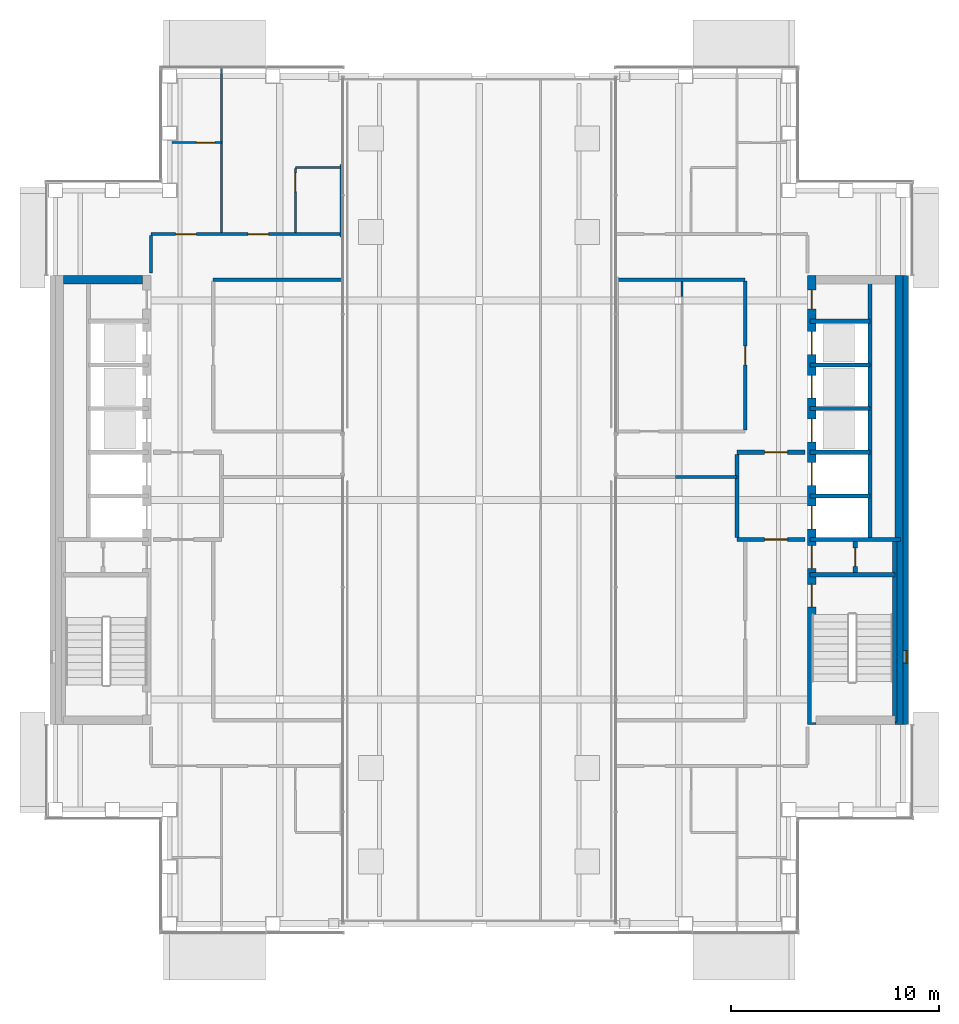
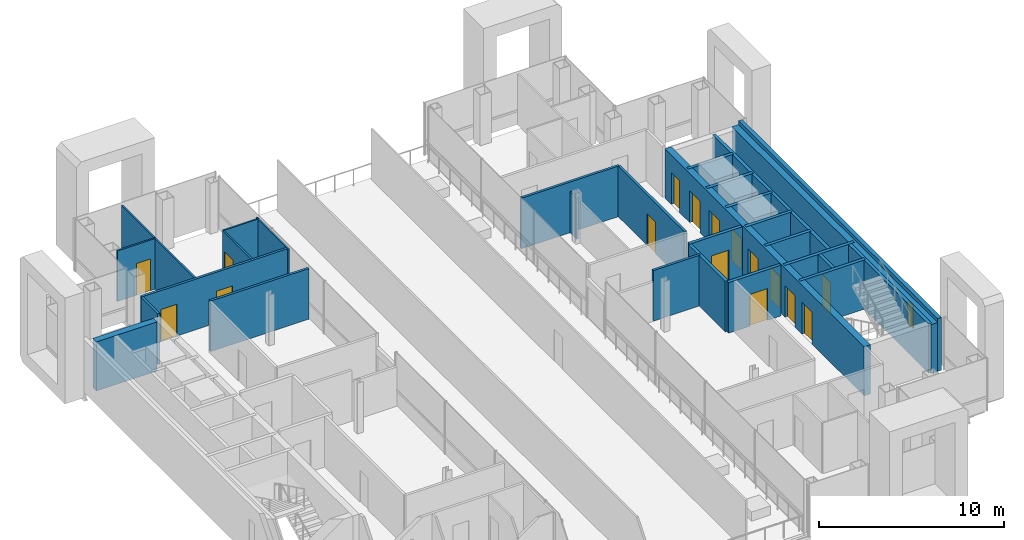
# One storey, part 12 of 17: 29 walls, 16 doors, 1 window, 17 openings.
"""IFC4 building model written with IfcOpenShell, lengths in metres."""

from ifc_helpers import new_model, si_unit, direction, frame, frame_2d, origin, place, context, subcontext, project, spatial, rectangle, extrude, material, layer, layer_set, type_object, element, fill, save


model = new_model("IFC4")

# Units and contexts
model_context = context("Model", 3, precision=1e-05, world=origin(), true_north=direction((0.0, 1.0)))
body_context = subcontext(model_context, "Body", "Model", "MODEL_VIEW")
ifc_project = project(units=[si_unit("LENGTHUNIT", "METRE"), si_unit("AREAUNIT", "SQUARE_METRE"), si_unit("VOLUMEUNIT", "CUBIC_METRE"), si_unit("PLANEANGLEUNIT", "RADIAN"), si_unit("MASSUNIT", "GRAM", prefix="KILO")], contexts=[model_context])

# Site, building, storey
site_placement = place(None, origin())
site = spatial("IfcSite", under=ifc_project, at=site_placement, CompositionType="ELEMENT")
building_placement = place(site_placement, origin())
building = spatial("IfcBuilding", under=site, at=building_placement, Name="Cobrizo Arcos Hotel Tower", CompositionType="ELEMENT")
storey_placement = place(building_placement, frame((0.0, 0.0, 219.0)))
storey = spatial("IfcBuildingStorey", under=building, at=storey_placement, Name="L57", CompositionType="ELEMENT", Elevation=219.0)

# Walls
ifc_material_1 = material(Name="Gypsum board partition")
ifc_layer_1 = layer(ifc_material_1, 0.14990234375)
ifc_layer_set_1 = layer_set([ifc_layer_1], Name="Corridor wall EI 60 150")
wall_type_1 = type_object("IfcWallType", Name="Corridor wall EI 60 150", PredefinedType="PARTITIONING", material=ifc_layer_set_1)
wall_1_placement = place(storey_placement, frame((9.43603515625, 1.10009765625, 0.0), z_axis=(0.0, 0.0, 1.0), x_axis=(1.0, 0.0, 0.0)))
element("IfcWall", 1, at=wall_1_placement, inside=storey, type_object=wall_type_1, Name="Partition 020", PredefinedType="PARTITIONING", context=body_context, shape_type="SweptSolid", body=[
    extrude(rectangle(XDim=2.9638671875, YDim=0.14990234375, at=frame_2d((1.48193359375, 0.0))), origin(), (0.0, 0.0, 1.0), 3.35009765625),
])
wall_2_placement = place(storey_placement, frame((-12.800048828125, 10.60009765625, 0.0), z_axis=(0.0, 0.0, 1.0), x_axis=(1.0, 0.0, 0.0)))
element("IfcWall", 2, at=wall_2_placement, inside=storey, type_object=wall_type_1, Name="Partition 033", PredefinedType="PARTITIONING", context=body_context, shape_type="SweptSolid", body=[
    extrude(rectangle(XDim=6.179931640625, YDim=0.14990234375, at=frame_2d((3.08984375, 0.0))), origin(), (0.0, 0.0, 1.0), 3.35009765625),
])
wall_3_placement = place(storey_placement, frame((6.64990234375, 10.60009765625, 0.0), z_axis=(0.0, 0.0, 1.0), x_axis=(1.0, 0.0, 0.0)))
element("IfcWall", 3, at=wall_3_placement, inside=storey, type_object=wall_type_1, Name="Partition 034", PredefinedType="PARTITIONING", context=body_context, shape_type="SweptSolid", body=[
    extrude(rectangle(XDim=6.150146484375, YDim=0.14990234375, at=frame_2d((3.0751953125, 0.0))), origin(), (0.0, 0.0, 1.0), 3.35009765625),
])

# Wall, openings, doors
wall_4_placement = place(storey_placement, frame((-15.800048828125, 12.800048828125, 0.0), z_axis=(0.0, 0.0, 1.0), x_axis=(1.0, 0.0, 0.0)))
wall_4 = element("IfcWall", 4, at=wall_4_placement, inside=storey, type_object=wall_type_1, Name="Partition 035", PredefinedType="PARTITIONING", context=body_context, shape_type="SweptSolid", body=[
    extrude(rectangle(XDim=9.150146484375, YDim=0.14990234375, at=frame_2d((4.5751953125, 0.0))), origin(), (0.0, 0.0, 1.0), 3.35009765625),
])
opening_1_placement = place(wall_4_placement, frame((4.6669921875, 0.0, 0.0)))
opening_1 = element("IfcOpeningElement", 5, at=opening_1_placement, cuts=wall_4, Name="Opening GD-02", PredefinedType="OPENING", context=body_context, shape_type="SweptSolid", body=[
    extrude(rectangle(XDim=1.0, YDim=2.10009765625, at=frame_2d((0.5, 1.050048828125))), frame((0.0, 0.0869140625, 0.0), z_axis=(0.0, -1.0, 0.0), x_axis=(1.0, 0.0, 0.0)), (0.0, 0.0, 1.0), 0.173828125),
])
opening_2_placement = place(wall_4_placement, frame((1.19189453125, 0.0, 0.0)))
opening_2 = element("IfcOpeningElement", 6, at=opening_2_placement, cuts=wall_4, Name="Opening GD-06", PredefinedType="OPENING", context=body_context, shape_type="SweptSolid", body=[
    extrude(rectangle(XDim=1.0, YDim=2.10009765625, at=frame_2d((0.5, 1.050048828125))), frame((0.0, 0.0869140625, 0.0), z_axis=(0.0, -1.0, 0.0), x_axis=(1.0, 0.0, 0.0)), (0.0, 0.0, 1.0), 0.173828125),
])
ifc_material_2 = material(Name="Timber door leaf", Category="wood")
door_type_1 = type_object("IfcDoorType", Name="Guest room door FD30S 1000x2100", OperationType="SINGLE_SWING_LEFT", PredefinedType="DOOR", material=ifc_material_2)
door_1_placement = place(opening_1_placement, origin())
door_1 = element("IfcDoor", 7, at=door_1_placement, inside=storey, type_object=door_type_1, Name="Door GD-02", OperationType="SINGLE_SWING_LEFT", OverallHeight=2.10009765625, OverallWidth=1.0, PredefinedType="DOOR", context=body_context, shape_type="SweptSolid", body=[
    extrude(rectangle(XDim=1.0, YDim=2.10009765625, at=frame_2d((0.5, 1.050048828125))), frame((0.0, 0.02490234375, 0.0), z_axis=(0.0, -1.0, 0.0), x_axis=(1.0, 0.0, 0.0)), (0.0, 0.0, 1.0), 0.050048828125),
])
fill(opening_1, door_1)
door_2_placement = place(opening_2_placement, origin())
door_2 = element("IfcDoor", 8, at=door_2_placement, inside=storey, type_object=door_type_1, Name="Door GD-06", OperationType="SINGLE_SWING_LEFT", OverallHeight=2.10009765625, OverallWidth=1.0, PredefinedType="DOOR", context=body_context, shape_type="SweptSolid", body=[
    extrude(rectangle(XDim=1.0, YDim=2.10009765625, at=frame_2d((0.5, 1.050048828125))), frame((0.0, 0.02490234375, 0.0), z_axis=(0.0, -1.0, 0.0), x_axis=(1.0, 0.0, 0.0)), (0.0, 0.0, 1.0), 0.050048828125),
])
fill(opening_2, door_2)

# Wall
wall_5_placement = place(storey_placement, frame((-15.800048828125, 10.919921875, 0.0), z_axis=(0.0, 0.0, 1.0), x_axis=(0.0, 1.0, 0.0)))
element("IfcWall", 9, at=wall_5_placement, inside=storey, type_object=wall_type_1, Name="Partition 045", PredefinedType="PARTITIONING", context=body_context, shape_type="SweptSolid", body=[
    extrude(rectangle(XDim=1.80517578125, YDim=0.14990234375, at=frame_2d((0.902587890625, 0.0))), origin(), (0.0, 0.0, 1.0), 3.35009765625),
])

# Wall, opening, door
wall_6_placement = place(storey_placement, frame((12.800048828125, 3.375, 0.0), z_axis=(0.0, 0.0, 1.0), x_axis=(0.0, 1.0, 0.0)))
wall_6 = element("IfcWall", 10, at=wall_6_placement, inside=storey, type_object=wall_type_1, Name="Partition 067", PredefinedType="PARTITIONING", context=body_context, shape_type="SweptSolid", body=[
    extrude(rectangle(XDim=7.175048828125, YDim=0.14990234375, at=frame_2d((3.58740234375, 0.0))), origin(), (0.0, 0.0, 1.0), 3.35009765625),
])
opening_3_placement = place(wall_6_placement, frame((3.125, 0.0, 0.0)))
opening_3 = element("IfcOpeningElement", 11, at=opening_3_placement, cuts=wall_6, Name="Opening ED-10", PredefinedType="OPENING", context=body_context, shape_type="SweptSolid", body=[
    extrude(rectangle(XDim=0.89990234375, YDim=2.10009765625, at=frame_2d((0.449951171875, 1.050048828125))), frame((0.0, 0.0869140625, 0.0), z_axis=(0.0, -1.0, 0.0), x_axis=(1.0, 0.0, 0.0)), (0.0, 0.0, 1.0), 0.173828125),
])
door_type_2 = type_object("IfcDoorType", Name="En-suite door 900x2100", OperationType="SINGLE_SWING_LEFT", PredefinedType="DOOR", material=ifc_material_2)
door_3_placement = place(opening_3_placement, origin())
door_3 = element("IfcDoor", 12, at=door_3_placement, inside=storey, type_object=door_type_2, Name="Door ED-10", OperationType="SINGLE_SWING_RIGHT", OverallHeight=2.10009765625, OverallWidth=0.89990234375, PredefinedType="DOOR", context=body_context, shape_type="SweptSolid", body=[
    extrude(rectangle(XDim=0.89990234375, YDim=2.10009765625, at=frame_2d((0.449951171875, 1.050048828125))), frame((0.0, 0.02490234375, 0.0), z_axis=(0.0, -1.0, 0.0), x_axis=(1.0, 0.0, 0.0)), (0.0, 0.0, 1.0), 0.050048828125),
])
fill(opening_3, door_3)

# Wall, opening, window
ifc_material_3 = material(Name="Aluminium composite panel pale metal", Category="aluminium")
ifc_layer_2 = layer(ifc_material_3, 0.25)
ifc_layer_set_2 = layer_set([ifc_layer_2], Name="EW-1 insulated panel wall 250")
wall_type_2 = type_object("IfcWallType", Name="EW-1 insulated panel wall 250", PredefinedType="SOLIDWALL", material=ifc_layer_set_2)
wall_7_placement = place(storey_placement, frame((20.52490234375, -10.800048828125, 0.0), z_axis=(0.0, 0.0, 1.0), x_axis=(0.0, 1.0, 0.0)))
wall_7 = element("IfcWall", 13, at=wall_7_placement, inside=storey, type_object=wall_type_2, Name="Core face wall L57 E", PredefinedType="SOLIDWALL", context=body_context, shape_type="SweptSolid", body=[
    extrude(rectangle(XDim=21.60009765625, YDim=0.25, at=frame_2d((10.800048828125, 0.0))), origin(), (0.0, 0.0, 1.0), 3.5),
])
opening_4_placement = place(wall_7_placement, frame((2.949951171875, 0.0, 1.0)))
opening_4 = element("IfcOpeningElement", 14, at=opening_4_placement, cuts=wall_7, Name="Opening W-127", PredefinedType="OPENING", context=body_context, shape_type="SweptSolid", body=[
    extrude(rectangle(XDim=0.60009765625, YDim=1.5, at=frame_2d((0.300048828125, 0.75))), frame((0.0, 0.136962890625, 0.0), z_axis=(0.0, -1.0, 0.0), x_axis=(1.0, 0.0, 0.0)), (0.0, 0.0, 1.0), 0.27392578125),
])
ifc_material_4 = material(Name="Aluminium 6063-T6 and clear laminated glass", Category="aluminium")
window_type = type_object("IfcWindowType", Name="W-C1 core stair slot window 600x1500", PartitioningType="SINGLE_PANEL", PredefinedType="WINDOW", material=ifc_material_4)
window_placement = place(opening_4_placement, origin())
window = element("IfcWindow", 15, at=window_placement, inside=storey, type_object=window_type, Name="Core face wall L57 E window W-127", OverallHeight=1.5, OverallWidth=0.60009765625, PartitioningType="SINGLE_PANEL", PredefinedType="WINDOW", context=body_context, shape_type="SweptSolid", body=[
    extrude(rectangle(XDim=0.60009765625, YDim=1.5, at=frame_2d((0.300048828125, 0.75))), frame((0.0, -0.034912109375, 0.0), z_axis=(0.0, -1.0, 0.0), x_axis=(1.0, 0.0, 0.0)), (0.0, 0.0, 1.0), 0.06005859375),
])
fill(opening_4, window)

# Wall
ifc_layer_3 = layer(ifc_material_1, 0.10009765625)
ifc_layer_set_3 = layer_set([ifc_layer_3], Name="Partition EI 30 100")
wall_type_3 = type_object("IfcWallType", Name="Partition EI 30 100", PredefinedType="PARTITIONING", material=ifc_layer_set_3)
wall_8_placement = place(storey_placement, frame((-8.85009765625, 16.0, 0.0), z_axis=(0.0, 0.0, 1.0), x_axis=(1.0, 0.0, 0.0)))
element("IfcWall", 16, at=wall_8_placement, inside=storey, type_object=wall_type_3, Name="Partition 037", PredefinedType="PARTITIONING", context=body_context, shape_type="SweptSolid", body=[
    extrude(rectangle(XDim=2.2001953125, YDim=0.10009765625, at=frame_2d((1.10009765625, 0.0))), origin(), (0.0, 0.0, 1.0), 3.35009765625),
])

# Wall, opening, door
wall_9_placement = place(storey_placement, frame((-14.780029296875, 17.199951171875, 0.0), z_axis=(0.0, 0.0, 1.0), x_axis=(1.0, 0.0, 0.0)))
wall_9 = element("IfcWall", 17, at=wall_9_placement, inside=storey, type_object=wall_type_3, Name="Partition 039", PredefinedType="PARTITIONING", context=body_context, shape_type="SweptSolid", body=[
    extrude(rectangle(XDim=2.380126953125, YDim=0.10009765625, at=frame_2d((1.18994140625, 0.0))), origin(), (0.0, 0.0, 1.0), 3.35009765625),
])
opening_5_placement = place(wall_9_placement, frame((1.16796875, 0.0, 0.0)))
opening_5 = element("IfcOpeningElement", 18, at=opening_5_placement, cuts=wall_9, Name="Opening ED-06", PredefinedType="OPENING", context=body_context, shape_type="SweptSolid", body=[
    extrude(rectangle(XDim=0.89990234375, YDim=2.10009765625, at=frame_2d((0.449951171875, 1.050048828125))), frame((0.0, 0.06201171875, 0.0), z_axis=(0.0, -1.0, 0.0), x_axis=(1.0, 0.0, 0.0)), (0.0, 0.0, 1.0), 0.1240234375),
])
door_4_placement = place(opening_5_placement, origin())
door_4 = element("IfcDoor", 19, at=door_4_placement, inside=storey, type_object=door_type_2, Name="Door ED-06", OperationType="SINGLE_SWING_RIGHT", OverallHeight=2.10009765625, OverallWidth=0.89990234375, PredefinedType="DOOR", context=body_context, shape_type="SweptSolid", body=[
    extrude(rectangle(XDim=0.89990234375, YDim=2.10009765625, at=frame_2d((0.449951171875, 1.050048828125))), frame((0.0, 0.02490234375, 0.0), z_axis=(0.0, -1.0, 0.0), x_axis=(1.0, 0.0, 0.0)), (0.0, 0.0, 1.0), 0.050048828125),
])
fill(opening_5, door_4)

# Wall
wall_10_placement = place(storey_placement, frame((-12.39990234375, 12.875, 0.0), z_axis=(0.0, 0.0, 1.0), x_axis=(0.0, 1.0, 0.0)))
element("IfcWall", 20, at=wall_10_placement, inside=storey, type_object=wall_type_3, Name="Partition 050", PredefinedType="PARTITIONING", context=body_context, shape_type="SweptSolid", body=[
    extrude(rectangle(XDim=7.905029296875, YDim=0.10009765625, at=frame_2d((3.95263671875, 0.0))), origin(), (0.0, 0.0, 1.0), 3.35009765625),
])

# Wall, opening, door
wall_11_placement = place(storey_placement, frame((-8.85009765625, 12.875, 0.0), z_axis=(0.0, 0.0, 1.0), x_axis=(0.0, 1.0, 0.0)))
wall_11 = element("IfcWall", 21, at=wall_11_placement, inside=storey, type_object=wall_type_3, Name="Partition 052", PredefinedType="PARTITIONING", context=body_context, shape_type="SweptSolid", body=[
    extrude(rectangle(XDim=3.074951171875, YDim=0.10009765625, at=frame_2d((1.53759765625, 0.0))), origin(), (0.0, 0.0, 1.0), 3.35009765625),
])
opening_6_placement = place(wall_11_placement, frame((1.970947265625, 0.0, 0.0)))
opening_6 = element("IfcOpeningElement", 22, at=opening_6_placement, cuts=wall_11, Name="Opening ED-02", PredefinedType="OPENING", context=body_context, shape_type="SweptSolid", body=[
    extrude(rectangle(XDim=0.89990234375, YDim=2.10009765625, at=frame_2d((0.449951171875, 1.050048828125))), frame((0.0, 0.06201171875, 0.0), z_axis=(0.0, -1.0, 0.0), x_axis=(1.0, 0.0, 0.0)), (0.0, 0.0, 1.0), 0.1240234375),
])
door_5_placement = place(opening_6_placement, origin())
door_5 = element("IfcDoor", 23, at=door_5_placement, inside=storey, type_object=door_type_2, Name="Door ED-02", OperationType="SINGLE_SWING_RIGHT", OverallHeight=2.10009765625, OverallWidth=0.89990234375, PredefinedType="DOOR", context=body_context, shape_type="SweptSolid", body=[
    extrude(rectangle(XDim=0.89990234375, YDim=2.10009765625, at=frame_2d((0.449951171875, 1.050048828125))), frame((0.0, 0.02490234375, 0.0), z_axis=(0.0, -1.0, 0.0), x_axis=(1.0, 0.0, 0.0)), (0.0, 0.0, 1.0), 0.050048828125),
])
fill(opening_6, door_5)

# Walls
wall_12_placement = place(storey_placement, frame((-6.64990234375, 12.659912109375, 0.0), z_axis=(0.0, 0.0, 1.0), x_axis=(0.0, 1.0, 0.0)))
element("IfcWall", 24, at=wall_12_placement, inside=storey, type_object=wall_type_3, Name="Partition 054", PredefinedType="PARTITIONING", context=body_context, shape_type="SweptSolid", body=[
    extrude(rectangle(XDim=3.47998046875, YDim=0.10009765625, at=frame_2d((1.739990234375, 0.0))), origin(), (0.0, 0.0, 1.0), 3.35009765625),
])
wall_13_placement = place(storey_placement, frame((9.75, 9.787109375, 0.0), z_axis=(0.0, 0.0, 1.0), x_axis=(0.0, 1.0, 0.0)))
element("IfcWall", 25, at=wall_13_placement, inside=storey, type_object=wall_type_3, Name="Partition 060", PredefinedType="PARTITIONING", context=body_context, shape_type="SweptSolid", body=[
    extrude(rectangle(XDim=0.73779296875, YDim=0.10009765625, at=frame_2d((0.368896484375, 0.0))), origin(), (0.0, 0.0, 1.0), 2.72802734375),
])

# Wall, openings, doors
ifc_material_5 = material(Name="Concrete f'c 40 MPa", Category="concrete")
ifc_layer_4 = layer(ifc_material_5, 0.39990234375)
ifc_layer_set_4 = layer_set([ifc_layer_4], Name="RC core wall 400 f'c 40")
wall_type_4 = type_object("IfcWallType", Name="RC core wall 400 f'c 40", PredefinedType="SHEAR", material=ifc_layer_set_4)
wall_14_placement = place(storey_placement, frame((16.0, -10.800048828125, 0.0), z_axis=(0.0, 0.0, 1.0), x_axis=(0.0, 1.0, 0.0)))
wall_14 = element("IfcWall", 26, at=wall_14_placement, inside=storey, type_object=wall_type_4, Name="Core wall CW4, east core, inner face, L57", PredefinedType="SHEAR", context=body_context, shape_type="SweptSolid", body=[
    extrude(rectangle(XDim=21.60009765625, YDim=0.39990234375, at=frame_2d((10.800048828125, 0.0))), origin(), (0.0, 0.0, 1.0), 3.25),
])
opening_7_placement = place(wall_14_placement, frame((9.39990234375, 0.0, 0.0)))
opening_7 = element("IfcOpeningElement", 27, at=opening_7_placement, cuts=wall_14, Name="Opening LD-06", PredefinedType="OPENING", context=body_context, shape_type="SweptSolid", body=[
    extrude(rectangle(XDim=1.10009765625, YDim=2.10009765625, at=frame_2d((0.550048828125, 1.050048828125))), frame((0.0, 0.2119140625, 0.0), z_axis=(0.0, -1.0, 0.0), x_axis=(1.0, 0.0, 0.0)), (0.0, 0.0, 1.0), 0.423828125),
])
opening_8_placement = place(wall_14_placement, frame((11.5, 0.0, 0.0)))
opening_8 = element("IfcOpeningElement", 28, at=opening_8_placement, cuts=wall_14, Name="Opening LD-07", PredefinedType="OPENING", context=body_context, shape_type="SweptSolid", body=[
    extrude(rectangle(XDim=1.10009765625, YDim=2.10009765625, at=frame_2d((0.550048828125, 1.050048828125))), frame((0.0, 0.2119140625, 0.0), z_axis=(0.0, -1.0, 0.0), x_axis=(1.0, 0.0, 0.0)), (0.0, 0.0, 1.0), 0.423828125),
])
opening_9_placement = place(wall_14_placement, frame((13.60009765625, 0.0, 0.0)))
opening_9 = element("IfcOpeningElement", 29, at=opening_9_placement, cuts=wall_14, Name="Opening LD-08", PredefinedType="OPENING", context=body_context, shape_type="SweptSolid", body=[
    extrude(rectangle(XDim=1.10009765625, YDim=2.10009765625, at=frame_2d((0.550048828125, 1.050048828125))), frame((0.0, 0.2119140625, 0.0), z_axis=(0.0, -1.0, 0.0), x_axis=(1.0, 0.0, 0.0)), (0.0, 0.0, 1.0), 0.423828125),
])
opening_10_placement = place(wall_14_placement, frame((15.699951171875, 0.0, 0.0)))
opening_10 = element("IfcOpeningElement", 30, at=opening_10_placement, cuts=wall_14, Name="Opening LD-09", PredefinedType="OPENING", context=body_context, shape_type="SweptSolid", body=[
    extrude(rectangle(XDim=1.10009765625, YDim=2.10009765625, at=frame_2d((0.550048828125, 1.050048828125))), frame((0.0, 0.2119140625, 0.0), z_axis=(0.0, -1.0, 0.0), x_axis=(1.0, 0.0, 0.0)), (0.0, 0.0, 1.0), 0.423828125),
])
opening_11_placement = place(wall_14_placement, frame((17.800048828125, 0.0, 0.0)))
opening_11 = element("IfcOpeningElement", 31, at=opening_11_placement, cuts=wall_14, Name="Opening LD-10", PredefinedType="OPENING", context=body_context, shape_type="SweptSolid", body=[
    extrude(rectangle(XDim=1.10009765625, YDim=2.10009765625, at=frame_2d((0.550048828125, 1.050048828125))), frame((0.0, 0.2119140625, 0.0), z_axis=(0.0, -1.0, 0.0), x_axis=(1.0, 0.0, 0.0)), (0.0, 0.0, 1.0), 0.423828125),
])
opening_12_placement = place(wall_14_placement, frame((5.64208984375, 0.0, 0.0)))
opening_12 = element("IfcOpeningElement", 32, at=opening_12_placement, cuts=wall_14, Name="Opening SD-02", PredefinedType="OPENING", context=body_context, shape_type="SweptSolid", body=[
    extrude(rectangle(XDim=1.10009765625, YDim=2.10009765625, at=frame_2d((0.550048828125, 1.050048828125))), frame((0.0, 0.2119140625, 0.0), z_axis=(0.0, -1.0, 0.0), x_axis=(1.0, 0.0, 0.0)), (0.0, 0.0, 1.0), 0.423828125),
])
opening_13_placement = place(wall_14_placement, frame((7.5, 0.0, 0.0)))
opening_13 = element("IfcOpeningElement", 33, at=opening_13_placement, cuts=wall_14, Name="Opening FD-04", PredefinedType="OPENING", context=body_context, shape_type="SweptSolid", body=[
    extrude(rectangle(XDim=1.10009765625, YDim=2.10009765625, at=frame_2d((0.550048828125, 1.050048828125))), frame((0.0, 0.2119140625, 0.0), z_axis=(0.0, -1.0, 0.0), x_axis=(1.0, 0.0, 0.0)), (0.0, 0.0, 1.0), 0.423828125),
])
opening_14_placement = place(wall_14_placement, frame((20.0, 0.0, 0.0)))
opening_14 = element("IfcOpeningElement", 34, at=opening_14_placement, cuts=wall_14, Name="Opening RD-04", PredefinedType="OPENING", context=body_context, shape_type="SweptSolid", body=[
    extrude(rectangle(XDim=0.89990234375, YDim=2.10009765625, at=frame_2d((0.449951171875, 1.050048828125))), frame((0.0, 0.2119140625, 0.0), z_axis=(0.0, -1.0, 0.0), x_axis=(1.0, 0.0, 0.0)), (0.0, 0.0, 1.0), 0.423828125),
])
ifc_material_6 = material(Name="Steel door leaf", Category="steel")
door_type_3 = type_object("IfcDoorType", Name="Fire door FD60 1100x2100", OperationType="SINGLE_SWING_LEFT", PredefinedType="DOOR", material=ifc_material_6)
door_6_placement = place(opening_13_placement, origin())
door_6 = element("IfcDoor", 35, at=door_6_placement, inside=storey, type_object=door_type_3, Name="Door FD-04", OperationType="SINGLE_SWING_LEFT", OverallHeight=2.10009765625, OverallWidth=1.10009765625, PredefinedType="DOOR", context=body_context, shape_type="SweptSolid", body=[
    extrude(rectangle(XDim=1.10009765625, YDim=2.10009765625, at=frame_2d((0.550048828125, 1.050048828125))), frame((0.0, 0.02490234375, 0.0), z_axis=(0.0, -1.0, 0.0), x_axis=(1.0, 0.0, 0.0)), (0.0, 0.0, 1.0), 0.050048828125),
])
fill(opening_13, door_6)
door_type_4 = type_object("IfcDoorType", Name="Lift landing door 1100x2100", OperationType="SLIDING_TO_LEFT", PredefinedType="DOOR", material=ifc_material_6)
door_7_placement = place(opening_7_placement, origin())
door_7 = element("IfcDoor", 36, at=door_7_placement, inside=storey, type_object=door_type_4, Name="Lift landing door LD-06", OperationType="SLIDING_TO_LEFT", OverallHeight=2.10009765625, OverallWidth=1.10009765625, PredefinedType="DOOR", context=body_context, shape_type="SweptSolid", body=[
    extrude(rectangle(XDim=1.10009765625, YDim=2.10009765625, at=frame_2d((0.550048828125, 1.050048828125))), frame((0.0, 0.02490234375, 0.0), z_axis=(0.0, -1.0, 0.0), x_axis=(1.0, 0.0, 0.0)), (0.0, 0.0, 1.0), 0.050048828125),
])
fill(opening_7, door_7)
door_8_placement = place(opening_8_placement, origin())
door_8 = element("IfcDoor", 37, at=door_8_placement, inside=storey, type_object=door_type_4, Name="Lift landing door LD-07", OperationType="SLIDING_TO_LEFT", OverallHeight=2.10009765625, OverallWidth=1.10009765625, PredefinedType="DOOR", context=body_context, shape_type="SweptSolid", body=[
    extrude(rectangle(XDim=1.10009765625, YDim=2.10009765625, at=frame_2d((0.550048828125, 1.050048828125))), frame((0.0, 0.02490234375, 0.0), z_axis=(0.0, -1.0, 0.0), x_axis=(1.0, 0.0, 0.0)), (0.0, 0.0, 1.0), 0.050048828125),
])
fill(opening_8, door_8)
door_9_placement = place(opening_9_placement, origin())
door_9 = element("IfcDoor", 38, at=door_9_placement, inside=storey, type_object=door_type_4, Name="Lift landing door LD-08", OperationType="SLIDING_TO_LEFT", OverallHeight=2.10009765625, OverallWidth=1.10009765625, PredefinedType="DOOR", context=body_context, shape_type="SweptSolid", body=[
    extrude(rectangle(XDim=1.10009765625, YDim=2.10009765625, at=frame_2d((0.550048828125, 1.050048828125))), frame((0.0, 0.02490234375, 0.0), z_axis=(0.0, -1.0, 0.0), x_axis=(1.0, 0.0, 0.0)), (0.0, 0.0, 1.0), 0.050048828125),
])
fill(opening_9, door_9)
door_10_placement = place(opening_10_placement, origin())
door_10 = element("IfcDoor", 39, at=door_10_placement, inside=storey, type_object=door_type_4, Name="Lift landing door LD-09", OperationType="SLIDING_TO_LEFT", OverallHeight=2.10009765625, OverallWidth=1.10009765625, PredefinedType="DOOR", context=body_context, shape_type="SweptSolid", body=[
    extrude(rectangle(XDim=1.10009765625, YDim=2.10009765625, at=frame_2d((0.550048828125, 1.050048828125))), frame((0.0, 0.02490234375, 0.0), z_axis=(0.0, -1.0, 0.0), x_axis=(1.0, 0.0, 0.0)), (0.0, 0.0, 1.0), 0.050048828125),
])
fill(opening_10, door_10)
door_11_placement = place(opening_11_placement, origin())
door_11 = element("IfcDoor", 40, at=door_11_placement, inside=storey, type_object=door_type_4, Name="Lift landing door LD-10", OperationType="SLIDING_TO_LEFT", OverallHeight=2.10009765625, OverallWidth=1.10009765625, PredefinedType="DOOR", context=body_context, shape_type="SweptSolid", body=[
    extrude(rectangle(XDim=1.10009765625, YDim=2.10009765625, at=frame_2d((0.550048828125, 1.050048828125))), frame((0.0, 0.02490234375, 0.0), z_axis=(0.0, -1.0, 0.0), x_axis=(1.0, 0.0, 0.0)), (0.0, 0.0, 1.0), 0.050048828125),
])
fill(opening_11, door_11)
door_type_5 = type_object("IfcDoorType", Name="Room door FD30 900x2100", OperationType="SINGLE_SWING_LEFT", PredefinedType="DOOR", material=ifc_material_2)
door_12_placement = place(opening_14_placement, origin())
door_12 = element("IfcDoor", 41, at=door_12_placement, inside=storey, type_object=door_type_5, Name="Door RD-04", OperationType="SINGLE_SWING_RIGHT", OverallHeight=2.10009765625, OverallWidth=0.89990234375, PredefinedType="DOOR", context=body_context, shape_type="SweptSolid", body=[
    extrude(rectangle(XDim=0.89990234375, YDim=2.10009765625, at=frame_2d((0.449951171875, 1.050048828125))), frame((0.0, 0.02490234375, 0.0), z_axis=(0.0, -1.0, 0.0), x_axis=(1.0, 0.0, 0.0)), (0.0, 0.0, 1.0), 0.050048828125),
])
fill(opening_14, door_12)
door_type_6 = type_object("IfcDoorType", Name="Stair door FD60S 1100x2100", OperationType="SINGLE_SWING_LEFT", PredefinedType="DOOR", material=ifc_material_6)
door_13_placement = place(opening_12_placement, origin())
door_13 = element("IfcDoor", 42, at=door_13_placement, inside=storey, type_object=door_type_6, Name="Door SD-02", OperationType="SINGLE_SWING_LEFT", OverallHeight=2.10009765625, OverallWidth=1.10009765625, PredefinedType="DOOR", context=body_context, shape_type="SweptSolid", body=[
    extrude(rectangle(XDim=1.10009765625, YDim=2.10009765625, at=frame_2d((0.550048828125, 1.050048828125))), frame((0.0, 0.02490234375, 0.0), z_axis=(0.0, -1.0, 0.0), x_axis=(1.0, 0.0, 0.0)), (0.0, 0.0, 1.0), 0.050048828125),
])
fill(opening_12, door_13)

# Walls
wall_15_placement = place(storey_placement, frame((20.199951171875, -10.800048828125, 0.0), z_axis=(0.0, 0.0, 1.0), x_axis=(0.0, 1.0, 0.0)))
element("IfcWall", 43, at=wall_15_placement, inside=storey, type_object=wall_type_4, Name="Core wall CW4, east core, outer face, L57", PredefinedType="SHEAR", context=body_context, shape_type="SweptSolid", body=[
    extrude(rectangle(XDim=21.60009765625, YDim=0.39990234375, at=frame_2d((10.800048828125, 0.0))), origin(), (0.0, 0.0, 1.0), 3.25),
])
wall_16_placement = place(storey_placement, frame((-20.0, 10.60009765625, 0.0), z_axis=(0.0, 0.0, 1.0), x_axis=(1.0, 0.0, 0.0)))
element("IfcWall", 44, at=wall_16_placement, inside=storey, type_object=wall_type_4, Name="Core wall CW4, west core, north end, L57", PredefinedType="SHEAR", context=body_context, shape_type="SweptSolid", body=[
    extrude(rectangle(XDim=3.800048828125, YDim=0.39990234375, at=frame_2d((1.89990234375, 0.0))), origin(), (0.0, 0.0, 1.0), 3.25),
])

# Wall, opening, door
ifc_layer_5 = layer(ifc_material_1, 0.199951171875)
ifc_layer_set_5 = layer_set([ifc_layer_5], Name="Shaft wall EI 120 200")
wall_type_5 = type_object("IfcWallType", Name="Shaft wall EI 120 200", PredefinedType="PARTITIONING", material=ifc_layer_set_5)
wall_17_placement = place(storey_placement, frame((12.39990234375, -1.89990234375, 0.0), z_axis=(0.0, 0.0, 1.0), x_axis=(1.0, 0.0, 0.0)))
wall_17 = element("IfcWall", 45, at=wall_17_placement, inside=storey, type_object=wall_type_5, Name="Partition 013", PredefinedType="PARTITIONING", context=body_context, shape_type="SweptSolid", body=[
    extrude(rectangle(XDim=3.280029296875, YDim=0.199951171875, at=frame_2d((1.64013671875, 0.0))), origin(), (0.0, 0.0, 1.0), 3.35009765625),
])
opening_15_placement = place(wall_17_placement, frame((1.340087890625, 0.0, 0.0)))
opening_15 = element("IfcOpeningElement", 46, at=opening_15_placement, cuts=wall_17, Name="Opening FD-06", PredefinedType="OPENING", context=body_context, shape_type="SweptSolid", body=[
    extrude(rectangle(XDim=1.10009765625, YDim=2.10009765625, at=frame_2d((0.550048828125, 1.050048828125))), frame((0.0, 0.112060546875, 0.0), z_axis=(0.0, -1.0, 0.0), x_axis=(1.0, 0.0, 0.0)), (0.0, 0.0, 1.0), 0.223876953125),
])
door_14_placement = place(opening_15_placement, origin())
door_14 = element("IfcDoor", 47, at=door_14_placement, inside=storey, type_object=door_type_3, Name="Door FD-06", OperationType="SINGLE_SWING_RIGHT", OverallHeight=2.10009765625, OverallWidth=1.10009765625, PredefinedType="DOOR", context=body_context, shape_type="SweptSolid", body=[
    extrude(rectangle(XDim=1.10009765625, YDim=2.10009765625, at=frame_2d((0.550048828125, 1.050048828125))), frame((0.0, 0.02490234375, 0.0), z_axis=(0.0, -1.0, 0.0), x_axis=(1.0, 0.0, 0.0)), (0.0, 0.0, 1.0), 0.050048828125),
])
fill(opening_15, door_14)

# Walls
wall_18_placement = place(storey_placement, frame((15.919921875, -1.89990234375, 0.0), z_axis=(0.0, 0.0, 1.0), x_axis=(1.0, 0.0, 0.0)))
element("IfcWall", 48, at=wall_18_placement, inside=storey, type_object=wall_type_5, Name="Partition 014", PredefinedType="PARTITIONING", context=body_context, shape_type="SweptSolid", body=[
    extrude(rectangle(XDim=4.360107421875, YDim=0.199951171875, at=frame_2d((2.18017578125, 0.0))), origin(), (0.0, 0.0, 1.0), 3.25),
])
wall_19_placement = place(storey_placement, frame((15.919921875, 0.199951171875, 0.0), z_axis=(0.0, 0.0, 1.0), x_axis=(1.0, 0.0, 0.0)))
element("IfcWall", 49, at=wall_19_placement, inside=storey, type_object=wall_type_5, Name="Partition 016", PredefinedType="PARTITIONING", context=body_context, shape_type="SweptSolid", body=[
    extrude(rectangle(XDim=2.880126953125, YDim=0.199951171875, at=frame_2d((1.43994140625, 0.0))), origin(), (0.0, 0.0, 1.0), 3.25),
])

# Wall, opening, door
wall_20_placement = place(storey_placement, frame((12.39990234375, 2.300048828125, 0.0), z_axis=(0.0, 0.0, 1.0), x_axis=(1.0, 0.0, 0.0)))
wall_20 = element("IfcWall", 50, at=wall_20_placement, inside=storey, type_object=wall_type_5, Name="Partition 023", PredefinedType="PARTITIONING", context=body_context, shape_type="SweptSolid", body=[
    extrude(rectangle(XDim=3.280029296875, YDim=0.199951171875, at=frame_2d((1.64013671875, 0.0))), origin(), (0.0, 0.0, 1.0), 3.35009765625),
])
opening_16_placement = place(wall_20_placement, frame((1.340087890625, 0.0, 0.0)))
opening_16 = element("IfcOpeningElement", 51, at=opening_16_placement, cuts=wall_20, Name="Opening FD-05", PredefinedType="OPENING", context=body_context, shape_type="SweptSolid", body=[
    extrude(rectangle(XDim=1.10009765625, YDim=2.10009765625, at=frame_2d((0.550048828125, 1.050048828125))), frame((0.0, 0.112060546875, 0.0), z_axis=(0.0, -1.0, 0.0), x_axis=(1.0, 0.0, 0.0)), (0.0, 0.0, 1.0), 0.223876953125),
])
door_15_placement = place(opening_16_placement, origin())
door_15 = element("IfcDoor", 52, at=door_15_placement, inside=storey, type_object=door_type_3, Name="Door FD-05", OperationType="SINGLE_SWING_LEFT", OverallHeight=2.10009765625, OverallWidth=1.10009765625, PredefinedType="DOOR", context=body_context, shape_type="SweptSolid", body=[
    extrude(rectangle(XDim=1.10009765625, YDim=2.10009765625, at=frame_2d((0.550048828125, 1.050048828125))), frame((0.0, 0.02490234375, 0.0), z_axis=(0.0, -1.0, 0.0), x_axis=(1.0, 0.0, 0.0)), (0.0, 0.0, 1.0), 0.050048828125),
])
fill(opening_16, door_15)

# Walls
for number, where, z_axis, x_axis, name in (
    (53, (15.919921875, 2.300048828125, 0.0), (0.0, 0.0, 1.0), (1.0, 0.0, 0.0), "Partition 024"),
    (54, (15.919921875, 4.39990234375, 0.0), (0.0, 0.0, 1.0), (1.0, 0.0, 0.0), "Partition 028"),
    (55, (15.919921875, 6.5, 0.0), (0.0, 0.0, 1.0), (1.0, 0.0, 0.0), "Partition 030"),
    (56, (15.919921875, 8.60009765625, 0.0), (0.0, 0.0, 1.0), (1.0, 0.0, 0.0), "Partition 032"),
):
    element("IfcWall", number, at=place(storey_placement, frame(where, z_axis=z_axis, x_axis=x_axis)), inside=storey, type_object=wall_type_5, Name=name, PredefinedType="PARTITIONING", context=body_context, shape_type="SweptSolid", body=[
        extrude(rectangle(XDim=2.880126953125, YDim=0.199951171875, at=frame_2d((1.43994140625, 0.0))), origin(), (0.0, 0.0, 1.0), 3.25),
    ])
wall_21_placement = place(storey_placement, frame((12.39990234375, -1.800048828125, 0.0), z_axis=(0.0, 0.0, 1.0), x_axis=(0.0, 1.0, 0.0)))
element("IfcWall", 57, at=wall_21_placement, inside=storey, type_object=wall_type_5, Name="Partition 064", PredefinedType="PARTITIONING", context=body_context, shape_type="SweptSolid", body=[
    extrude(rectangle(XDim=4.0, YDim=0.199951171875, at=frame_2d((2.0, 0.0))), origin(), (0.0, 0.0, 1.0), 3.35009765625),
])

# Wall, opening, door
wall_22_placement = place(storey_placement, frame((18.10009765625, -3.5, 0.0), z_axis=(0.0, 0.0, 1.0), x_axis=(0.0, 1.0, 0.0)))
wall_22 = element("IfcWall", 58, at=wall_22_placement, inside=storey, type_object=wall_type_5, Name="Partition 070", PredefinedType="PARTITIONING", context=body_context, shape_type="SweptSolid", body=[
    extrude(rectangle(XDim=1.5, YDim=0.199951171875, at=frame_2d((0.75, 0.0))), origin(), (0.0, 0.0, 1.0), 3.25),
])
opening_17_placement = place(wall_22_placement, frame((0.300048828125, 0.0, 0.0)))
opening_17 = element("IfcOpeningElement", 59, at=opening_17_placement, cuts=wall_22, Name="Opening RD-03", PredefinedType="OPENING", context=body_context, shape_type="SweptSolid", body=[
    extrude(rectangle(XDim=0.89990234375, YDim=2.10009765625, at=frame_2d((0.449951171875, 1.050048828125))), frame((0.0, 0.112060546875, 0.0), z_axis=(0.0, -1.0, 0.0), x_axis=(1.0, 0.0, 0.0)), (0.0, 0.0, 1.0), 0.223876953125),
])
door_16_placement = place(opening_17_placement, origin())
door_16 = element("IfcDoor", 60, at=door_16_placement, inside=storey, type_object=door_type_5, Name="Door RD-03", OperationType="SINGLE_SWING_RIGHT", OverallHeight=2.10009765625, OverallWidth=0.89990234375, PredefinedType="DOOR", context=body_context, shape_type="SweptSolid", body=[
    extrude(rectangle(XDim=0.89990234375, YDim=2.10009765625, at=frame_2d((0.449951171875, 1.050048828125))), frame((0.0, 0.02490234375, 0.0), z_axis=(0.0, -1.0, 0.0), x_axis=(1.0, 0.0, 0.0)), (0.0, 0.0, 1.0), 0.050048828125),
])
fill(opening_17, door_16)

# Walls
wall_23_placement = place(storey_placement, frame((18.800048828125, -1.800048828125, 0.0), z_axis=(0.0, 0.0, 1.0), x_axis=(0.0, 1.0, 0.0)))
element("IfcWall", 61, at=wall_23_placement, inside=storey, type_object=wall_type_5, Name="Partition 071", PredefinedType="PARTITIONING", context=body_context, shape_type="SweptSolid", body=[
    extrude(rectangle(XDim=12.47998046875, YDim=0.199951171875, at=frame_2d((6.239990234375, 0.0))), origin(), (0.0, 0.0, 1.0), 3.25),
])
ifc_layer_6 = layer(ifc_material_5, 0.199951171875)
ifc_layer_set_6 = layer_set([ifc_layer_6], Name="Stair shaft wall 200")
wall_type_6 = type_object("IfcWallType", Name="Stair shaft wall 200", PredefinedType="SHEAR", material=ifc_layer_set_6)
wall_24_placement = place(storey_placement, frame((15.919921875, -3.60009765625, 0.0), z_axis=(0.0, 0.0, 1.0), x_axis=(1.0, 0.0, 0.0)))
element("IfcWall", 62, at=wall_24_placement, inside=storey, type_object=wall_type_6, Name="Stair shaft wall E", PredefinedType="SHEAR", context=body_context, shape_type="SweptSolid", body=[
    extrude(rectangle(XDim=4.080078125, YDim=0.199951171875, at=frame_2d((2.0400390625, 0.0))), origin(), (0.0, 0.0, 1.0), 3.25),
])
wall_25_placement = place(storey_placement, frame((20.0, -10.679931640625, 0.0), z_axis=(0.0, 0.0, 1.0), x_axis=(0.0, 1.0, 0.0)))
element("IfcWall", 63, at=wall_25_placement, inside=storey, type_object=wall_type_6, Name="Stair shaft wall E", PredefinedType="SHEAR", context=body_context, shape_type="SweptSolid", body=[
    extrude(rectangle(XDim=8.679931640625, YDim=0.199951171875, at=frame_2d((4.33984375, 0.0))), origin(), (0.0, 0.0, 1.0), 3.25),
])

save(model, "model.ifc")
